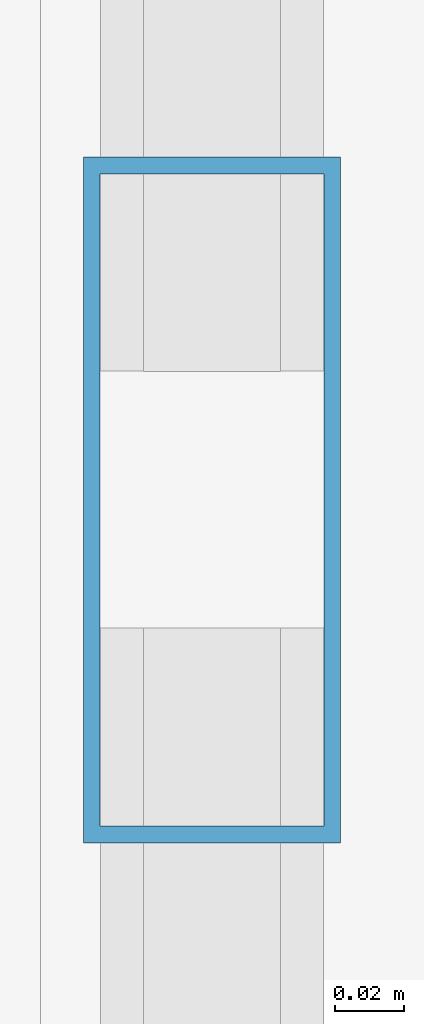
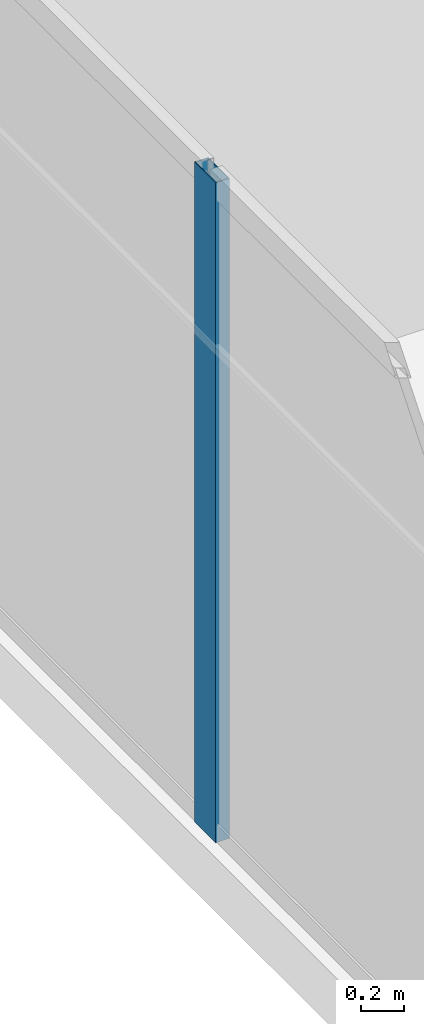
# One storey, part 8 of 33: 1 member, 1 element without a shape of its own.
"""IFC4 building model written with IfcOpenShell, lengths in metres."""

from ifc_helpers import new_model, si_unit, direction, frame, origin, origin_2d, place, context, subcontext, project, spatial, hollow_rectangle, extrude, source, transform, mapped, material, layer, layer_set, material_profile, profile_set, type_object, type_shapes, element, aggregate, save


model = new_model("IFC4")

# Units and contexts
model_context = context("Model", 3, precision=1e-05, world=origin(), true_north=direction((0.0, 1.0)))
body_context = subcontext(model_context, "Body", "Model", "MODEL_VIEW")
ifc_project = project(units=[si_unit("LENGTHUNIT", "METRE"), si_unit("AREAUNIT", "SQUARE_METRE"), si_unit("VOLUMEUNIT", "CUBIC_METRE"), si_unit("PLANEANGLEUNIT", "RADIAN"), si_unit("MASSUNIT", "GRAM", prefix="KILO")], contexts=[model_context])

# Site, building, storey
site_placement = place(None, origin())
site = spatial("IfcSite", under=ifc_project, at=site_placement, CompositionType="ELEMENT")
building_placement = place(site_placement, origin())
building = spatial("IfcBuilding", under=site, at=building_placement, Name="Haelvirn Gate Laboratories", CompositionType="ELEMENT")
storey_placement = place(building_placement, frame((0.0, 0.0, 117.39990234375)))
storey = spatial("IfcBuildingStorey", under=building, at=storey_placement, Name="L28", CompositionType="ELEMENT", Elevation=117.39990234375)

# Curtain wall, member
ifc_material_1 = material(Name="Anodised bronze unitised aluminium & triple low-E glass", Category="aluminium")
ifc_layer = layer(ifc_material_1, 0.179931640625, Name="CW-SYS-3")
ifc_layer_set = layer_set([ifc_layer], Name="Anodised bronze unitised aluminium & triple low-E glass")
curtain_wall_type = type_object("IfcCurtainWallType", Name="CW-SYS-3", PredefinedType="NOTDEFINED", material=ifc_layer_set)
curtain_wall_placement = place(storey_placement, origin())
curtain_wall = element("IfcCurtainWall", 1, at=curtain_wall_placement, inside=storey, type_object=curtain_wall_type, Name="L28 Unitised Curtain Wall CW-L28-P0-E17", PredefinedType="NOTDEFINED")
ifc_material_2 = material(Name="Extruded aluminium 6063-T6 (anodised bronze)", Category="aluminium")
ifc_material_profile = material_profile(ifc_material_2, hollow_rectangle(XDim=0.074951171875, YDim=0.199951171875, WallThickness=0.0048828125, at=origin_2d()), Name="CWM-200x75x5")
ifc_profile_set = profile_set([ifc_material_profile], Name="Extruded aluminium 6063-T6 (anodised bronze)")
member_type = type_object("IfcMemberType", Name="CWM-T200", PredefinedType="MULLION", material=ifc_profile_set)
shared_shape = source(origin(), body_context, "Body", "SweptSolid", [
    extrude(hollow_rectangle(XDim=0.074951171875, YDim=0.199951171875, WallThickness=0.0048828125, at=origin_2d()), origin(), (0.0, 0.0, 1.0), 3.7900390625),
])
type_shapes(member_type, [shared_shape])
member_placement = place(storey_placement, frame((2.10009765625, 30.966552734375, 0.0), z_axis=(0.0, 0.0, 1.0), x_axis=(1.0, 0.0, 0.0)))
member = element("IfcMember", 2, at=member_placement, type_object=member_type, Name="CW3 mullion 2", PredefinedType="MULLION", context=body_context, shape_type="MappedRepresentation", body=[
    mapped(shared_shape, transform((0.0, 0.0, 0.0), scale=1.0)),
])
aggregate(curtain_wall, [member])

save(model, "model.ifc")
